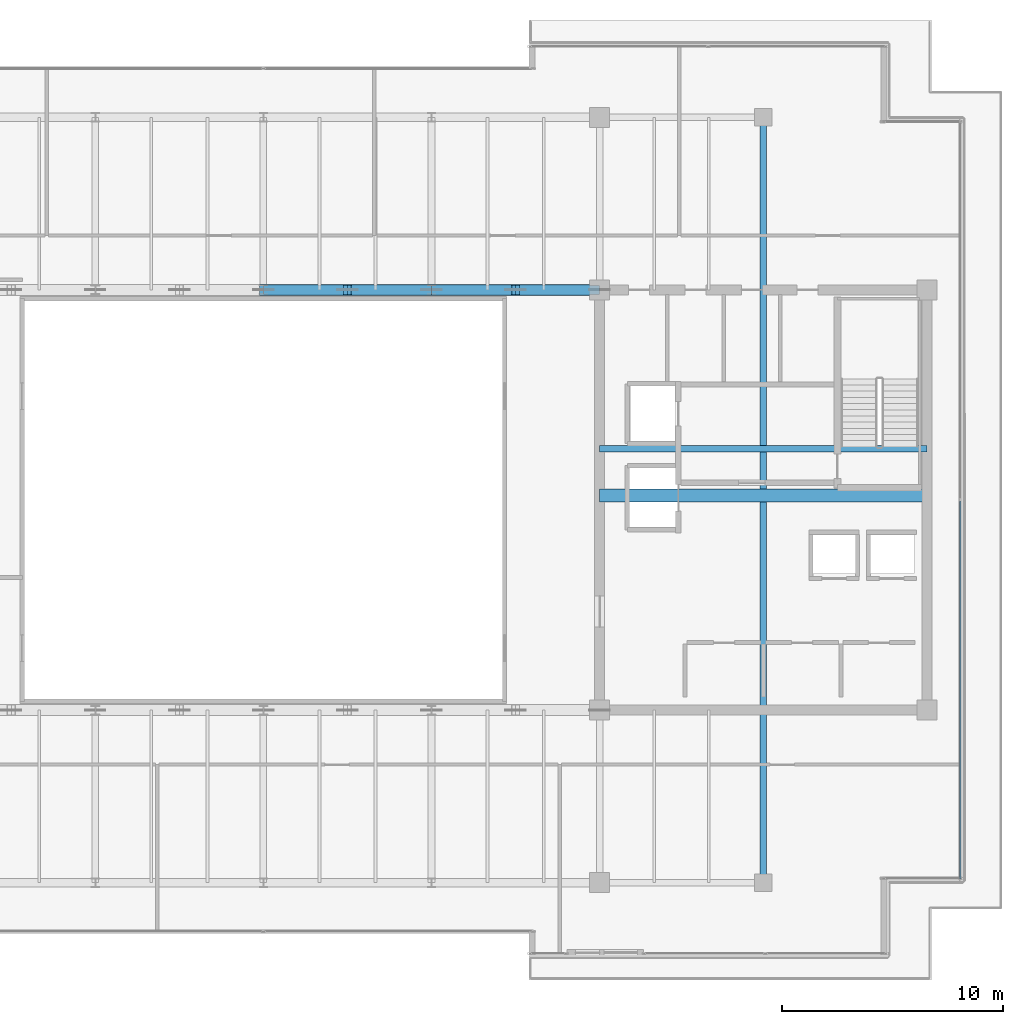
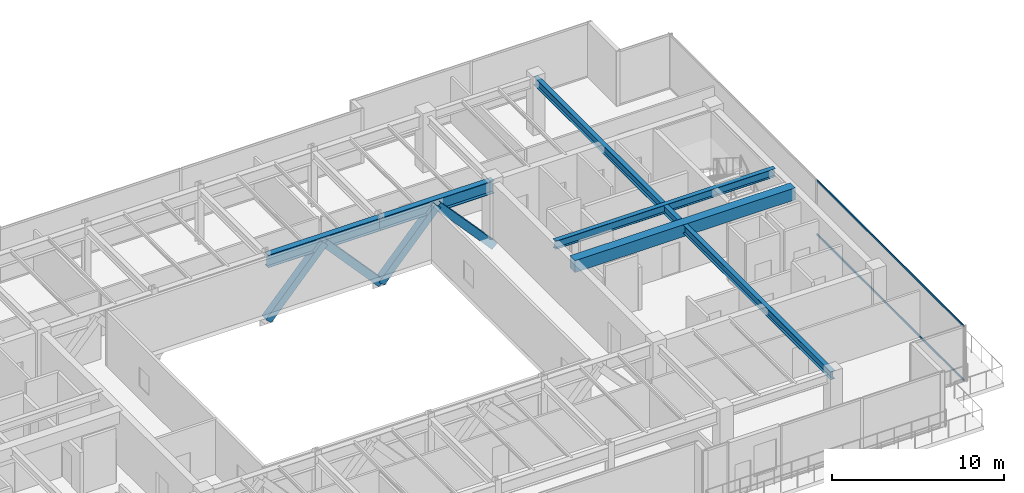
# One storey, part 15 of 34: 6 members, 5 beams, 1 element without a shape of its own.
"""IFC4 building model written with IfcOpenShell, lengths in metres."""

import ifcopenshell
import ifcopenshell.guid

model = None  # the IFC model being written
_history = None  # IfcOwnerHistory: only IFC2X3 demands one
_inside = {}  # id of a spatial element -> (the spatial element, [elements in it])
_under = {}  # id of a project, library or spatial element -> (it, [spatial elements below it])
_declared = {}  # id of a project -> (the project, [libraries it declares])
_typed = {}  # id of a type object -> (the type object, [elements of that type])
_made_of = {}  # id of a material, layer set ... -> (it, [elements and type objects made of it])


def new_model(schema):
    """Start an empty IFC model of exactly this schema.

    Asked for "IFC4X3", IfcOpenShell would pick the latest addendum, in which some entities
    have other attributes; the version numbers below select the first issue.
    IFC2X3 requires an IfcOwnerHistory on every rooted entity: one is made here for all.
    """
    global model, _history
    if schema == "IFC4X3":
        model = ifcopenshell.file(schema_version=(4, 3, 0, 0))
    else:
        model = ifcopenshell.file(schema=schema)
    _inside.clear()
    _under.clear()
    _declared.clear()
    _typed.clear()
    _made_of.clear()
    _history = None
    if model.schema == "IFC2X3":
        org = make("IfcOrganization", Name="unknown")
        user = make(
            "IfcPersonAndOrganization",
            ThePerson=make("IfcPerson", FamilyName="unknown"),
            TheOrganization=org,
        )
        app = make(
            "IfcApplication",
            ApplicationDeveloper=org,
            Version="unknown",
            ApplicationFullName="unknown",
            ApplicationIdentifier="unknown",
        )
        _history = make(
            "IfcOwnerHistory",
            OwningUser=user,
            OwningApplication=app,
            ChangeAction="ADDED",
            CreationDate=0,
        )
    return model


def make(cls, **values):
    """One entity of the class cls with the attributes given. An attribute that is None is left unset."""
    return model.create_entity(
        cls, **{name: value for name, value in values.items() if value is not None}
    )


def rooted(cls, **values):
    """An entity with a GlobalId (a new one), such as an element, a storey or a relation."""
    return make(cls, GlobalId=ifcopenshell.guid.new(), OwnerHistory=_history, **values)


def si_unit(unit_type, name, prefix=None):
    """IfcSIUnit, for example si_unit("LENGTHUNIT", "METRE", prefix="MILLI")."""
    return make("IfcSIUnit", UnitType=unit_type, Prefix=prefix, Name=name)


def assignment(units):
    """IfcUnitAssignment: the units of a project."""
    return None if units is None else make("IfcUnitAssignment", Units=units)


def point(xyz):
    """IfcCartesianPoint."""
    return None if xyz is None else make("IfcCartesianPoint", Coordinates=xyz)


def direction(xyz):
    """IfcDirection."""
    return None if xyz is None else make("IfcDirection", DirectionRatios=xyz)


def frame(location, z_axis=None, x_axis=None):
    """IfcAxis2Placement3D, a coordinate frame: its origin and axes. An axis left out is left unset."""
    return make(
        "IfcAxis2Placement3D",
        Location=point(location),
        Axis=direction(z_axis),
        RefDirection=direction(x_axis),
    )


def frame_2d(location, x_axis=None):
    """IfcAxis2Placement2D, a coordinate frame in the plane: its origin and x axis."""
    return make(
        "IfcAxis2Placement2D", Location=point(location), RefDirection=direction(x_axis)
    )


def origin():
    """The frame at (0, 0, 0) with its axes left unset."""
    return frame((0.0, 0.0, 0.0))


def origin_2d():
    """The frame at (0, 0) in the plane with its x axis left unset."""
    return frame_2d((0.0, 0.0))


def place(relative_to, where):
    """IfcLocalPlacement: puts the frame where relative to a parent placement (None: the world)."""
    return make(
        "IfcLocalPlacement", PlacementRelTo=relative_to, RelativePlacement=where
    )


def context(
    kind, dimensions, precision=None, world=None, true_north=None, identifier=None
):
    """IfcGeometricRepresentationContext, for example the 3D "Model" context."""
    return make(
        "IfcGeometricRepresentationContext",
        ContextIdentifier=identifier,
        ContextType=kind,
        CoordinateSpaceDimension=dimensions,
        Precision=precision,
        WorldCoordinateSystem=world,
        TrueNorth=true_north,
    )


def subcontext(parent, identifier, kind, view, scale=None):
    """IfcGeometricRepresentationSubContext, for example "Body" below "Model"."""
    return make(
        "IfcGeometricRepresentationSubContext",
        ContextIdentifier=identifier,
        ContextType=kind,
        ParentContext=parent,
        TargetScale=scale,
        TargetView=view,
    )


def project(units=None, contexts=None):
    """IfcProject with its units and contexts."""
    return rooted(
        "IfcProject",
        Name="project",
        RepresentationContexts=contexts,
        UnitsInContext=assignment(units),
    )


def spatial(cls, under=None, at=None, **own):
    """A site, building, storey or space (cls), placed at a placement, below another one or the project."""
    s = rooted(cls, ObjectPlacement=at, **own)
    if under is not None:
        _under.setdefault(under.id(), (under, []))[1].append(s)
    return s


def profile(cls, at=None, kind="AREA", **sizes):
    """A parametric profile (cls). Its sizes go by their IFC names, for example OverallWidth=200.0."""
    return make(cls, ProfileType=kind, Position=at, **sizes)


def rectangle(**sizes):
    """IfcRectangleProfileDef."""
    return profile("IfcRectangleProfileDef", **sizes)


def hollow_rectangle(**sizes):
    """IfcRectangleHollowProfileDef."""
    return profile("IfcRectangleHollowProfileDef", **sizes)


def i_section(**sizes):
    """IfcIShapeProfileDef."""
    return profile("IfcIShapeProfileDef", **sizes)


def extrude(swept, where, along, depth):
    """IfcExtrudedAreaSolid: the profile swept, set in the frame where, extruded along a direction by depth."""
    return make(
        "IfcExtrudedAreaSolid",
        SweptArea=swept,
        Position=where,
        ExtrudedDirection=direction(along),
        Depth=depth,
    )


def shape(context_of_items, identifier, shape_type, items):
    """IfcShapeRepresentation: the items that make up one representation, for example the "Body"."""
    return make(
        "IfcShapeRepresentation",
        ContextOfItems=context_of_items,
        RepresentationIdentifier=identifier,
        RepresentationType=shape_type,
        Items=items,
    )


def source(mapping_origin, context_of_items, identifier, shape_type, items):
    """IfcRepresentationMap: a shape defined once, which mapped items show again and again."""
    return make(
        "IfcRepresentationMap",
        MappingOrigin=mapping_origin,
        MappedRepresentation=shape(context_of_items, identifier, shape_type, items),
    )


def transform(
    local_origin,
    x_axis=None,
    y_axis=None,
    z_axis=None,
    scale=None,
    scale2=None,
    scale3=None,
    uniform=True,
):
    """IfcCartesianTransformationOperator3D, or its non-uniform kind. x_axis, y_axis, z_axis: its Axis1, 2, 3."""
    if uniform:
        return make(
            "IfcCartesianTransformationOperator3D",
            Axis1=direction(x_axis),
            Axis2=direction(y_axis),
            LocalOrigin=point(local_origin),
            Scale=scale,
            Axis3=direction(z_axis),
        )
    return make(
        "IfcCartesianTransformationOperator3DnonUniform",
        Axis1=direction(x_axis),
        Axis2=direction(y_axis),
        LocalOrigin=point(local_origin),
        Scale=scale,
        Axis3=direction(z_axis),
        Scale2=scale2,
        Scale3=scale3,
    )


def mapped(mapping_source, mapping_target):
    """IfcMappedItem: shows the shape of a source again, moved by a transform."""
    return make(
        "IfcMappedItem", MappingSource=mapping_source, MappingTarget=mapping_target
    )


def material(Name=None, Category=None):
    """IfcMaterial."""
    return make("IfcMaterial", Name=Name, Category=Category)


def layer(
    of_material, thickness, ventilated=None, Name=None, Category=None, Priority=None
):
    """IfcMaterialLayer: one layer of a wall or slab, of a material (None: an air gap)."""
    return make(
        "IfcMaterialLayer",
        Material=of_material,
        LayerThickness=thickness,
        IsVentilated=ventilated,
        Name=Name,
        Category=Category,
        Priority=Priority,
    )


def layer_set(layers, Name=None):
    """IfcMaterialLayerSet."""
    return make("IfcMaterialLayerSet", MaterialLayers=layers, LayerSetName=Name)


def material_profile(
    of_material, cross_section, Name=None, Category=None, Priority=None
):
    """IfcMaterialProfile: a cross section and its material."""
    return make(
        "IfcMaterialProfile",
        Name=Name,
        Material=of_material,
        Profile=cross_section,
        Priority=Priority,
        Category=Category,
    )


def profile_set(profiles, Name=None, composite=None):
    """IfcMaterialProfileSet."""
    return make(
        "IfcMaterialProfileSet",
        Name=Name,
        MaterialProfiles=profiles,
        CompositeProfile=composite,
    )


def made_of(thing, what):
    """Note that an element or type object is made of a material, layer set ...; save() writes the relation."""
    if what is not None:
        _made_of.setdefault(what.id(), (what, []))[1].append(thing)
    return thing


def type_object(cls, material=None, **own):
    """A type object (cls), such as IfcWallType, which elements share."""
    return made_of(rooted(cls, **own), material)


def type_shapes(of_type, sources):
    """Give a type object the sources (RepresentationMaps) that its elements show as mapped items."""
    of_type.RepresentationMaps = sources


def element(
    cls,
    number,
    at=None,
    inside=None,
    cuts=None,
    type_object=None,
    material=None,
    context=None,
    identifier="Body",
    shape_type=None,
    held_by="IfcProductDefinitionShape",
    body=None,
    shapes=None,
    **own,
):
    """One element of the class cls, such as IfcWall. Its Tag is "e" and its number.

    at: its placement. inside: the storey or other place that contains it. cuts: it is an
    opening in that element (IfcRelVoidsElement). A single representation is given by context,
    identifier, shape_type and body (its items); several are given by shapes. held_by: the class
    of the entity that holds the representations. save() writes the other relations.
    """
    e = rooted(cls, Tag="e%d" % number, ObjectPlacement=at, **own)
    if body is not None:
        shapes = [shape(context, identifier, shape_type, body)]
    if shapes is not None:
        e.Representation = make(held_by, Representations=shapes)
    if inside is not None:
        _inside.setdefault(inside.id(), (inside, []))[1].append(e)
    if cuts is not None:
        rooted(
            "IfcRelVoidsElement", RelatingBuildingElement=cuts, RelatedOpeningElement=e
        )
    if type_object is not None:
        _typed.setdefault(type_object.id(), (type_object, []))[1].append(e)
    return made_of(e, material)


def aggregate(whole, parts):
    """IfcRelAggregates: a whole, such as a stair, and the parts it consists of."""
    return rooted("IfcRelAggregates", RelatingObject=whole, RelatedObjects=parts)


def save(model, path):
    """Write the relations noted so far, then the file.

    IfcRelAggregates (storeys below a building ...), IfcRelContainedInSpatialStructure (elements
    in a storey), IfcRelDefinesByType, IfcRelAssociatesMaterial and IfcRelDeclares: one each for
    every whole, place, type object, material and project.
    """
    for whole, parts in _under.values():
        aggregate(whole, parts)
    for where, things in _inside.values():
        rooted(
            "IfcRelContainedInSpatialStructure",
            RelatedElements=things,
            RelatingStructure=where,
        )
    for kind, things in _typed.values():
        rooted("IfcRelDefinesByType", RelatedObjects=things, RelatingType=kind)
    for what, things in _made_of.values():
        rooted("IfcRelAssociatesMaterial", RelatedObjects=things, RelatingMaterial=what)
    for by, libraries in _declared.values():
        rooted("IfcRelDeclares", RelatingContext=by, RelatedDefinitions=libraries)
    model.write(path)


model = new_model("IFC4")

# Units and contexts
model_context = context("Model", 3, precision=1e-05, world=origin(), true_north=direction((0.0, 1.0)))
body_context = subcontext(model_context, "Body", "Model", "MODEL_VIEW")
ifc_project = project(units=[si_unit("LENGTHUNIT", "METRE"), si_unit("AREAUNIT", "SQUARE_METRE"), si_unit("VOLUMEUNIT", "CUBIC_METRE"), si_unit("PLANEANGLEUNIT", "RADIAN"), si_unit("MASSUNIT", "GRAM", prefix="KILO")], contexts=[model_context])

# Site, building, storey
site_placement = place(None, origin())
site = spatial("IfcSite", under=ifc_project, at=site_placement, CompositionType="ELEMENT")
building_placement = place(site_placement, origin())
building = spatial("IfcBuilding", under=site, at=building_placement, Name="Haelvirn Gate Laboratories", CompositionType="ELEMENT")
storey_placement = place(building_placement, frame((0.0, 0.0, 297.60009765625)))
storey = spatial("IfcBuildingStorey", under=building, at=storey_placement, Name="L71", CompositionType="ELEMENT", Elevation=297.60009765625)

# Beams
ifc_material_1 = material(Name="Steel SM355", Category="steel")
ifc_material_profile_1 = material_profile(ifc_material_1, i_section(OverallWidth=0.300048828125, OverallDepth=0.587890625, WebThickness=0.011962890625, FlangeThickness=0.02001953125, at=origin_2d()), Name="H-588x300x12x20")
ifc_profile_set_1 = profile_set([ifc_material_profile_1], Name="Steel SM355")
beam_type_1 = type_object("IfcBeamType", Name="BM-G-588", PredefinedType="BEAM", material=ifc_profile_set_1)
shared_shape_1 = source(origin(), body_context, "Body", "SweptSolid", [
    extrude(i_section(OverallWidth=0.300048828125, OverallDepth=0.587890625, WebThickness=0.011962890625, FlangeThickness=0.02001953125, at=origin_2d()), origin(), (0.0, 0.0, 1.0), 14.7998046875),
])
beam_1_placement = place(storey_placement, frame((52.60009765625, 26.6201171875, 3.60595703125), z_axis=(1.0, 0.0, 0.0), x_axis=(0.0, 1.0, 0.0)))
element("IfcBeam", 1, at=beam_1_placement, inside=storey, type_object=beam_type_1, Name="L71 Stair ST2 Landing Header", PredefinedType="BEAM", context=body_context, shape_type="MappedRepresentation", body=[
    mapped(shared_shape_1, transform((0.0, 0.0, 0.0), scale=1.0)),
])
ifc_material_2 = material(Name="Steel SM420", Category="steel")
ifc_material_profile_2 = material_profile(ifc_material_2, i_section(OverallWidth=0.39990234375, OverallDepth=0.89990234375, WebThickness=0.01904296875, FlangeThickness=0.031982421875, at=origin_2d()), Name="H-900x400x19x32")
ifc_profile_set_2 = profile_set([ifc_material_profile_2], Name="Steel SM420")
beam_type_2 = type_object("IfcBeamType", Name="BM-TG-900", PredefinedType="BEAM", material=ifc_profile_set_2)
shared_shape_2 = source(origin(), body_context, "Body", "SweptSolid", [
    extrude(i_section(OverallWidth=0.39990234375, OverallDepth=0.89990234375, WebThickness=0.01904296875, FlangeThickness=0.031982421875, at=origin_2d()), origin(), (0.0, 0.0, 1.0), 7.60009765625),
])
type_shapes(beam_type_2, [shared_shape_2])
for number, where, z_axis, x_axis, name in (
    (2, (37.39990234375, 33.800048828125, 3.449951171875), (1.0, 0.0, 0.0), (0.0, 1.0, 0.0), "L71 Primary Girder Y33.8 (37.4-45.0)"),
    (3, (45.0, 33.800048828125, 3.449951171875), (1.0, 0.0, 0.0), (0.0, 1.0, 0.0), "L71 Primary Girder Y33.8 (45.0-52.6)"),
):
    element("IfcBeam", number, at=place(storey_placement, frame(where, z_axis=z_axis, x_axis=x_axis)), inside=storey, type_object=beam_type_2, Name=name, PredefinedType="BEAM", context=body_context, shape_type="MappedRepresentation", body=[
        mapped(shared_shape_2, transform((0.0, 0.0, 0.0), scale=1.0)),
    ])
shared_shape_3 = source(origin(), body_context, "Body", "SweptSolid", [
    extrude(i_section(OverallWidth=0.300048828125, OverallDepth=0.587890625, WebThickness=0.011962890625, FlangeThickness=0.02001953125, at=origin_2d()), origin(), (0.0, 0.0, 1.0), 34.60009765625),
])
type_shapes(beam_type_1, [shared_shape_1, shared_shape_3])
beam_2_placement = place(storey_placement, frame((60.0, 7.0, 3.60595703125), z_axis=(0.0, 1.0, 0.0), x_axis=(-1.0, 0.0, 0.0)))
element("IfcBeam", 4, at=beam_2_placement, inside=storey, type_object=beam_type_1, Name="L71 Frame Girder X60.0 (7.0-41.6)", PredefinedType="BEAM", context=body_context, shape_type="MappedRepresentation", body=[
    mapped(shared_shape_3, transform((0.0, 0.0, 0.0), scale=1.0)),
])
ifc_material_3 = material(Name="Concrete C50/60", Category="concrete")
ifc_material_profile_3 = material_profile(ifc_material_3, rectangle(XDim=0.60009765625, YDim=0.85009765625, at=origin_2d()), Name="RCB-600x850")
ifc_profile_set_3 = profile_set([ifc_material_profile_3], Name="Concrete C50/60")
beam_type_3 = type_object("IfcBeamType", Name="BM-RCB-850", PredefinedType="LINTEL", material=ifc_profile_set_3)
shared_shape_4 = source(origin(), body_context, "Body", "SweptSolid", [
    extrude(rectangle(XDim=0.60009765625, YDim=0.85009765625, at=origin_2d()), origin(), (0.0, 0.0, 1.0), 14.7998046875),
])
type_shapes(beam_type_3, [shared_shape_4])
beam_3_placement = place(storey_placement, frame((52.60009765625, 24.5, 3.474853515625), z_axis=(1.0, 0.0, 0.0), x_axis=(0.0, 1.0, 0.0)))
element("IfcBeam", 5, at=beam_3_placement, inside=storey, type_object=beam_type_3, Name="L71 East Core Coupling Beam", PredefinedType="LINTEL", context=body_context, shape_type="MappedRepresentation", body=[
    mapped(shared_shape_4, transform((0.0, 0.0, 0.0), scale=1.0)),
])

# Members
ifc_material_profile_4 = material_profile(ifc_material_2, hollow_rectangle(XDim=0.5, YDim=0.5, WallThickness=0.02197265625, at=origin_2d()), Name="BOX-500x500x22")
ifc_profile_set_4 = profile_set([ifc_material_profile_4], Name="Steel SM420")
member_type_1 = type_object("IfcMemberType", Name="MEM-ARCH-WEB", PredefinedType="BRACE", material=ifc_profile_set_4)
shared_shape_5 = source(origin(), body_context, "Body", "SweptSolid", [
    extrude(hollow_rectangle(XDim=0.5, YDim=0.5, WallThickness=0.02197265625, at=origin_2d()), origin(), (0.0, 0.0, 1.0), 5.663818359375),
])
type_shapes(member_type_1, [shared_shape_5])
for number, where, z_axis, x_axis, name in (
    (6, (37.39990234375, 33.800048828125, -0.75), (0.670922353302, 0.0, 0.741527609628), (0.0, 1.0, 0.0), "L71 Arch Truss Chevron Web Y33.8-3A"),
    (7, (41.199951171875, 33.800048828125, 3.449951171875), (0.670922353302, 0.0, -0.741527609628), (0.0, 1.0, 0.0), "L71 Arch Truss Chevron Web Y33.8-3B"),
    (8, (45.0, 33.800048828125, -0.75), (0.670922353302, 0.0, 0.741527609628), (0.0, 1.0, 0.0), "L71 Arch Truss Chevron Web Y33.8-4A"),
    (9, (48.800048828125, 33.800048828125, 3.449951171875), (0.670922353302, 0.0, -0.741527609628), (0.0, 1.0, 0.0), "L71 Arch Truss Chevron Web Y33.8-4B"),
):
    element("IfcMember", number, at=place(storey_placement, frame(where, z_axis=z_axis, x_axis=x_axis)), inside=storey, type_object=member_type_1, Name=name, PredefinedType="BRACE", context=body_context, shape_type="MappedRepresentation", body=[
        mapped(shared_shape_5, transform((0.0, 0.0, 0.0), scale=1.0)),
    ])

# Curtain wall, members
ifc_material_4 = material(Name="Anodised bronze unitised aluminium & triple low-E glass", Category="aluminium")
ifc_layer = layer(ifc_material_4, 0.176025390625, Name="CW-SYS-4")
ifc_layer_set = layer_set([ifc_layer], Name="Anodised bronze unitised aluminium & triple low-E glass")
curtain_wall_type = type_object("IfcCurtainWallType", Name="CW-SYS-4", PredefinedType="NOTDEFINED", material=ifc_layer_set)
curtain_wall_placement = place(storey_placement, origin())
curtain_wall = element("IfcCurtainWall", 10, at=curtain_wall_placement, inside=storey, type_object=curtain_wall_type, Name="L71 Unitised Curtain Wall CW-L71-P0-E07", PredefinedType="NOTDEFINED")
ifc_material_5 = material(Name="Extruded aluminium 6063-T6 (anodised bronze)", Category="aluminium")
ifc_material_profile_5 = material_profile(ifc_material_5, hollow_rectangle(XDim=0.06494140625, YDim=0.139892578125, WallThickness=0.00390625, at=origin_2d()), Name="CWT-140x65x4")
ifc_profile_set_5 = profile_set([ifc_material_profile_5], Name="Extruded aluminium 6063-T6 (anodised bronze)")
member_type_2 = type_object("IfcMemberType", Name="CWT-T140", PredefinedType="USERDEFINED", material=ifc_profile_set_5)
shared_shape_6 = source(origin(), body_context, "Body", "SweptSolid", [
    extrude(hollow_rectangle(XDim=0.06494140625, YDim=0.139892578125, WallThickness=0.00390625, at=origin_2d()), origin(), (0.0, 0.0, 1.0), 17.094970703125),
])
type_shapes(member_type_2, [shared_shape_6])
member_1_placement = place(storey_placement, frame((68.89990234375, 7.169921875, 0.032470703125), z_axis=(0.0, 1.0, 0.0), x_axis=(-1.0, 0.0, 0.0)))
member_1 = element("IfcMember", 11, at=member_1_placement, type_object=member_type_2, Name="CW4 transom 1.1", ObjectType="TRANSOM", PredefinedType="USERDEFINED", context=body_context, shape_type="MappedRepresentation", body=[
    mapped(shared_shape_6, transform((0.0, 0.0, 0.0), scale=1.0)),
])
member_2_placement = place(storey_placement, frame((68.89990234375, 7.169921875, 3.867431640625), z_axis=(0.0, 1.0, 0.0), x_axis=(-1.0, 0.0, 0.0)))
member_2 = element("IfcMember", 12, at=member_2_placement, type_object=member_type_2, Name="CW4 transom 1.2", ObjectType="TRANSOM", PredefinedType="USERDEFINED", context=body_context, shape_type="MappedRepresentation", body=[
    mapped(shared_shape_6, transform((0.0, 0.0, 0.0), scale=1.0)),
])
aggregate(curtain_wall, [member_1, member_2])

save(model, "model.ifc")
